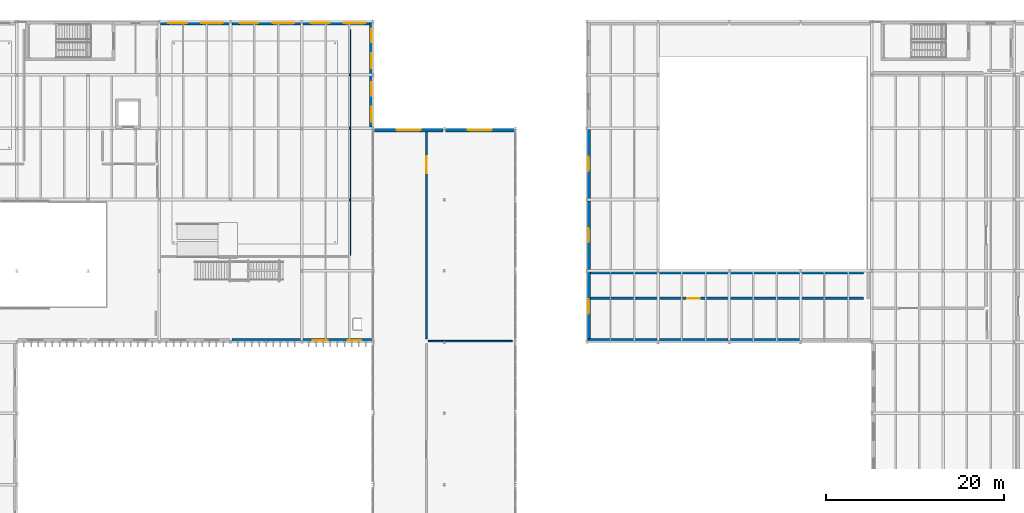
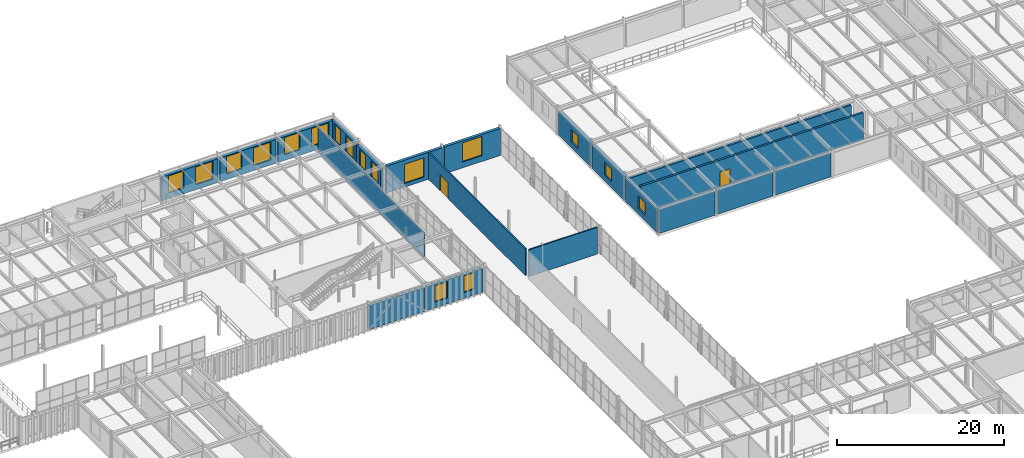
# One storey, part 87 of 122: 20 walls, 17 windows, 2 doors, 19 openings.
"""IFC4 building model written with IfcOpenShell, lengths in metres."""

from ifc_helpers import new_model, si_unit, direction, frame, frame_2d, origin, place, context, subcontext, project, spatial, rectangle, extrude, material, layer, layer_set, type_object, element, fill, save


model = new_model("IFC4")

# Units and contexts
model_context = context("Model", 3, precision=1e-05, world=origin(), true_north=direction((0.0, 1.0)))
body_context = subcontext(model_context, "Body", "Model", "MODEL_VIEW")
ifc_project = project(units=[si_unit("LENGTHUNIT", "METRE"), si_unit("AREAUNIT", "SQUARE_METRE"), si_unit("VOLUMEUNIT", "CUBIC_METRE"), si_unit("PLANEANGLEUNIT", "RADIAN"), si_unit("MASSUNIT", "GRAM", prefix="KILO")], contexts=[model_context])

# Site, building, storey
site_placement = place(None, origin())
site = spatial("IfcSite", under=ifc_project, at=site_placement, CompositionType="ELEMENT")
building_placement = place(site_placement, origin())
building = spatial("IfcBuilding", under=site, at=building_placement, Name="Sundkrona Museum", CompositionType="ELEMENT")
storey_placement = place(building_placement, frame((0.0, 0.0, 5.39990234375)))
storey = spatial("IfcBuildingStorey", under=building, at=storey_placement, Name="L01", CompositionType="ELEMENT", Elevation=5.39990234375)

# Wall, opening, door
ifc_material_1 = material(Name="Acoustic Double-Leaf Brick Masonry 275 mm", Category="masonry")
ifc_layer_1 = layer(ifc_material_1, 0.27490234375)
ifc_layer_set_1 = layer_set([ifc_layer_1], Name="Acoustic Double-Leaf Brick Masonry 275 mm")
wall_type_1 = type_object("IfcWallType", Name="W-AUD-275", PredefinedType="SOLIDWALL", material=ifc_layer_set_1)
wall_1_placement = place(storey_placement, frame((104.35009765625, 82.89990234375, 0.0), z_axis=(0.0, 0.0, 1.0), x_axis=(1.0, 0.0, 0.0)))
wall_1 = element("IfcWall", 1, at=wall_1_placement, inside=storey, type_object=wall_type_1, Name="L01 Auditorium Projection Foyer Enclosure Wall S", PredefinedType="SOLIDWALL", context=body_context, shape_type="SweptSolid", body=[
    extrude(rectangle(XDim=30.699951171875, YDim=0.27490234375, at=frame_2d((15.35009765625, 0.0))), origin(), (0.0, 0.0, 1.0), 3.940185546875),
])
opening_1_placement = place(wall_1_placement, frame((10.9296875, 0.0, 0.0)))
opening_1 = element("IfcOpeningElement", 2, at=opening_1_placement, cuts=wall_1, Name="Opening D-CMP-140", PredefinedType="OPENING", context=body_context, shape_type="SweptSolid", body=[
    extrude(rectangle(XDim=1.39990234375, YDim=2.199951171875, at=frame_2d((0.699951171875, 1.10009765625))), frame((0.0, 0.1474609375, 0.0), z_axis=(0.0, -1.0, 0.0), x_axis=(1.0, 0.0, 0.0)), (0.0, 0.0, 1.0), 0.294921875),
])
ifc_material_2 = material(Name="Oak-veneered Fire Door", Category="other")
door_type_1 = type_object("IfcDoorType", Name="D-CMP-140", OperationType="DOUBLE_DOOR_SINGLE_SWING", PredefinedType="DOOR", material=ifc_material_2)
door_1_placement = place(opening_1_placement, origin())
door_1 = element("IfcDoor", 3, at=door_1_placement, inside=storey, type_object=door_type_1, Name="L01 Interior Door DR-INT-L01-0111", OperationType="DOUBLE_DOOR_SINGLE_SWING", OverallHeight=2.199951171875, OverallWidth=1.39990234375, PredefinedType="DOOR", context=body_context, shape_type="SweptSolid", body=[
    extrude(rectangle(XDim=1.39990234375, YDim=2.199951171875, at=frame_2d((0.699951171875, 1.10009765625))), frame((0.0, 0.02490234375, 0.0), z_axis=(0.0, -1.0, 0.0), x_axis=(1.0, 0.0, 0.0)), (0.0, 0.0, 1.0), 0.050048828125),
])
fill(opening_1, door_1)

# Walls
wall_2_placement = place(storey_placement, frame((104.35009765625, 85.800048828125, 0.0), z_axis=(0.0, 0.0, 1.0), x_axis=(1.0, 0.0, 0.0)))
element("IfcWall", 4, at=wall_2_placement, inside=storey, type_object=wall_type_1, Name="L01 Auditorium Projection Foyer Enclosure Wall N", PredefinedType="SOLIDWALL", context=body_context, shape_type="SweptSolid", body=[
    extrude(rectangle(XDim=30.699951171875, YDim=0.27490234375, at=frame_2d((15.35009765625, 0.0))), origin(), (0.0, 0.0, 1.0), 3.300048828125),
])
ifc_material_3 = material(Name="Scanian Polychrome Clay Brickwork 390 mm", Category="masonry")
ifc_layer_2 = layer(ifc_material_3, 0.389892578125)
ifc_layer_set_2 = layer_set([ifc_layer_2], Name="Scanian Polychrome Clay Brickwork 390 mm")
wall_type_2 = type_object("IfcWallType", Name="W-EX-390", PredefinedType="SOLIDWALL", material=ifc_layer_set_2)
wall_3_placement = place(storey_placement, frame((71.85791015625, 78.195068359375, 0.0), z_axis=(0.0, 0.0, 1.0), x_axis=(-1.0, 0.0, 0.0)))
element("IfcWall", 5, at=wall_3_placement, inside=storey, type_object=wall_type_2, Name="L01 Facade Wall 0120", PredefinedType="SOLIDWALL", context=body_context, shape_type="SweptSolid", body=[
    extrude(rectangle(XDim=7.7158203125, YDim=0.389892578125, at=frame_2d((3.85791015625, 0.0))), origin(), (0.0, 0.0, 1.0), 3.455078125),
])

# Wall, openings, windows
wall_4_placement = place(storey_placement, frame((79.85791015625, 78.195068359375, 0.0), z_axis=(0.0, 0.0, 1.0), x_axis=(-1.0, 0.0, 0.0)))
wall_4 = element("IfcWall", 6, at=wall_4_placement, inside=storey, type_object=wall_type_2, Name="L01 Facade Wall 0121", PredefinedType="SOLIDWALL", context=body_context, shape_type="SweptSolid", body=[
    extrude(rectangle(XDim=7.7158203125, YDim=0.389892578125, at=frame_2d((3.85791015625, 0.0))), origin(), (0.0, 0.0, 1.0), 3.455078125),
])
opening_2_placement = place(wall_4_placement, frame((1.178955078125, 0.0, 0.85009765625)))
opening_2 = element("IfcOpeningElement", 7, at=opening_2_placement, cuts=wall_4, Name="Opening WN-GL-150x240", PredefinedType="OPENING", context=body_context, shape_type="SweptSolid", body=[
    extrude(rectangle(XDim=1.5, YDim=2.39990234375, at=frame_2d((0.75, 1.199951171875))), frame((0.0, 0.204833984375, 0.0), z_axis=(0.0, -1.0, 0.0), x_axis=(1.0, 0.0, 0.0)), (0.0, 0.0, 1.0), 0.409912109375),
])
opening_3_placement = place(wall_4_placement, frame((4.93701171875, 0.0, 0.85009765625)))
opening_3 = element("IfcOpeningElement", 8, at=opening_3_placement, cuts=wall_4, Name="Opening WN-GL-170x240", PredefinedType="OPENING", context=body_context, shape_type="SweptSolid", body=[
    extrude(rectangle(XDim=1.699951171875, YDim=2.39990234375, at=frame_2d((0.85009765625, 1.199951171875))), frame((0.0, 0.204833984375, 0.0), z_axis=(0.0, -1.0, 0.0), x_axis=(1.0, 0.0, 0.0)), (0.0, 0.0, 1.0), 0.409912109375),
])
ifc_material_4 = material(Name="Triple Low-E Argon Glazing in Bronze-Anodised Aluminium", Category="aluminium")
window_type_1 = type_object("IfcWindowType", Name="WN-GL-150x240", PartitioningType="SINGLE_PANEL", PredefinedType="WINDOW", material=ifc_material_4)
window_1_placement = place(opening_2_placement, origin())
window_1 = element("IfcWindow", 9, at=window_1_placement, inside=storey, type_object=window_type_1, Name="L01 Finned wing deep-reveal gallery window 1500x2400 WIN-L01-0166", OverallHeight=2.39990234375, OverallWidth=1.5, PartitioningType="SINGLE_PANEL", PredefinedType="WINDOW", context=body_context, shape_type="SweptSolid", body=[
    extrude(rectangle(XDim=1.5, YDim=2.39990234375, at=frame_2d((0.75, 1.199951171875))), frame((0.0, 0.030029296875, 0.0), z_axis=(0.0, -1.0, 0.0), x_axis=(1.0, 0.0, 0.0)), (0.0, 0.0, 1.0), 0.06005859375),
])
fill(opening_2, window_1)
window_type_2 = type_object("IfcWindowType", Name="WN-GL-170x240", PartitioningType="DOUBLE_PANEL_VERTICAL", PredefinedType="WINDOW", material=ifc_material_4)
window_2_placement = place(opening_3_placement, origin())
window_2 = element("IfcWindow", 10, at=window_2_placement, inside=storey, type_object=window_type_2, Name="L01 Finned wing wide gallery window 1700x2400 WIN-L01-0167", OverallHeight=2.39990234375, OverallWidth=1.699951171875, PartitioningType="DOUBLE_PANEL_VERTICAL", PredefinedType="WINDOW", context=body_context, shape_type="SweptSolid", body=[
    extrude(rectangle(XDim=1.699951171875, YDim=2.39990234375, at=frame_2d((0.85009765625, 1.199951171875))), frame((0.0, 0.030029296875, 0.0), z_axis=(0.0, -1.0, 0.0), x_axis=(1.0, 0.0, 0.0)), (0.0, 0.0, 1.0), 0.06005859375),
])
fill(opening_3, window_2)

wall_5_placement = place(storey_placement, frame((56.14208984375, 113.804931640625, 0.0), z_axis=(0.0, 0.0, 1.0), x_axis=(1.0, 0.0, 0.0)))
wall_5 = element("IfcWall", 11, at=wall_5_placement, inside=storey, type_object=wall_type_2, Name="L01 Facade Wall 0131", PredefinedType="SOLIDWALL", context=body_context, shape_type="SweptSolid", body=[
    extrude(rectangle(XDim=7.7158203125, YDim=0.389892578125, at=frame_2d((3.85791015625, 0.0))), origin(), (0.0, 0.0, 1.0), 3.455078125),
])
opening_4_placement = place(wall_5_placement, frame((0.87890625, 0.0, 0.820068359375)))
opening_4 = element("IfcOpeningElement", 12, at=opening_4_placement, cuts=wall_5, Name="Opening WN-GL-210x250", PredefinedType="OPENING", context=body_context, shape_type="SweptSolid", body=[
    extrude(rectangle(XDim=2.10009765625, YDim=2.5, at=frame_2d((1.050048828125, 1.25))), frame((0.0, 0.204833984375, 0.0), z_axis=(0.0, -1.0, 0.0), x_axis=(1.0, 0.0, 0.0)), (0.0, 0.0, 1.0), 0.409912109375),
])
opening_5_placement = place(wall_5_placement, frame((4.5869140625, 0.0, 0.719970703125)))
opening_5 = element("IfcOpeningElement", 13, at=opening_5_placement, cuts=wall_5, Name="Opening WN-GL-240x260", PredefinedType="OPENING", context=body_context, shape_type="SweptSolid", body=[
    extrude(rectangle(XDim=2.39990234375, YDim=2.60009765625, at=frame_2d((1.199951171875, 1.300048828125))), frame((0.0, 0.204833984375, 0.0), z_axis=(0.0, -1.0, 0.0), x_axis=(1.0, 0.0, 0.0)), (0.0, 0.0, 1.0), 0.409912109375),
])
window_type_3 = type_object("IfcWindowType", Name="WN-GL-210x250", PartitioningType="DOUBLE_PANEL_VERTICAL", PredefinedType="WINDOW", material=ifc_material_4)
window_3_placement = place(opening_4_placement, origin())
window_3 = element("IfcWindow", 14, at=window_3_placement, inside=storey, type_object=window_type_3, Name="L01 Botanical court outlook window 2100x2500 WIN-L01-0177", OverallHeight=2.5, OverallWidth=2.10009765625, PartitioningType="DOUBLE_PANEL_VERTICAL", PredefinedType="WINDOW", context=body_context, shape_type="SweptSolid", body=[
    extrude(rectangle(XDim=2.10009765625, YDim=2.5, at=frame_2d((1.050048828125, 1.25))), frame((0.0, 0.030029296875, 0.0), z_axis=(0.0, -1.0, 0.0), x_axis=(1.0, 0.0, 0.0)), (0.0, 0.0, 1.0), 0.06005859375),
])
fill(opening_4, window_3)
window_type_4 = type_object("IfcWindowType", Name="WN-GL-240x260", PartitioningType="TRIPLE_PANEL_VERTICAL", PredefinedType="WINDOW", material=ifc_material_4)
window_4_placement = place(opening_5_placement, origin())
window_4 = element("IfcWindow", 15, at=window_4_placement, inside=storey, type_object=window_type_4, Name="L01 Cloister garden picture window 2400x2600 WIN-L01-0178", OverallHeight=2.60009765625, OverallWidth=2.39990234375, PartitioningType="TRIPLE_PANEL_VERTICAL", PredefinedType="WINDOW", context=body_context, shape_type="SweptSolid", body=[
    extrude(rectangle(XDim=2.39990234375, YDim=2.60009765625, at=frame_2d((1.199951171875, 1.300048828125))), frame((0.0, 0.030029296875, 0.0), z_axis=(0.0, -1.0, 0.0), x_axis=(1.0, 0.0, 0.0)), (0.0, 0.0, 1.0), 0.06005859375),
])
fill(opening_5, window_4)

wall_6_placement = place(storey_placement, frame((64.14208984375, 113.804931640625, 0.0), z_axis=(0.0, 0.0, 1.0), x_axis=(1.0, 0.0, 0.0)))
wall_6 = element("IfcWall", 16, at=wall_6_placement, inside=storey, type_object=wall_type_2, Name="L01 Facade Wall 0132", PredefinedType="SOLIDWALL", context=body_context, shape_type="SweptSolid", body=[
    extrude(rectangle(XDim=7.7158203125, YDim=0.389892578125, at=frame_2d((3.85791015625, 0.0))), origin(), (0.0, 0.0, 1.0), 3.455078125),
])
opening_6_placement = place(wall_6_placement, frame((0.87890625, 0.0, 0.820068359375)))
opening_6 = element("IfcOpeningElement", 17, at=opening_6_placement, cuts=wall_6, Name="Opening WN-GL-210x250", PredefinedType="OPENING", context=body_context, shape_type="SweptSolid", body=[
    extrude(rectangle(XDim=2.10009765625, YDim=2.5, at=frame_2d((1.050048828125, 1.25))), frame((0.0, 0.204833984375, 0.0), z_axis=(0.0, -1.0, 0.0), x_axis=(1.0, 0.0, 0.0)), (0.0, 0.0, 1.0), 0.409912109375),
])
opening_7_placement = place(wall_6_placement, frame((4.5869140625, 0.0, 0.719970703125)))
opening_7 = element("IfcOpeningElement", 18, at=opening_7_placement, cuts=wall_6, Name="Opening WN-GL-240x260", PredefinedType="OPENING", context=body_context, shape_type="SweptSolid", body=[
    extrude(rectangle(XDim=2.39990234375, YDim=2.60009765625, at=frame_2d((1.199951171875, 1.300048828125))), frame((0.0, 0.204833984375, 0.0), z_axis=(0.0, -1.0, 0.0), x_axis=(1.0, 0.0, 0.0)), (0.0, 0.0, 1.0), 0.409912109375),
])
window_5_placement = place(opening_6_placement, origin())
window_5 = element("IfcWindow", 19, at=window_5_placement, inside=storey, type_object=window_type_3, Name="L01 Botanical court outlook window 2100x2500 WIN-L01-0179", OverallHeight=2.5, OverallWidth=2.10009765625, PartitioningType="DOUBLE_PANEL_VERTICAL", PredefinedType="WINDOW", context=body_context, shape_type="SweptSolid", body=[
    extrude(rectangle(XDim=2.10009765625, YDim=2.5, at=frame_2d((1.050048828125, 1.25))), frame((0.0, 0.030029296875, 0.0), z_axis=(0.0, -1.0, 0.0), x_axis=(1.0, 0.0, 0.0)), (0.0, 0.0, 1.0), 0.06005859375),
])
fill(opening_6, window_5)
window_6_placement = place(opening_7_placement, origin())
window_6 = element("IfcWindow", 20, at=window_6_placement, inside=storey, type_object=window_type_4, Name="L01 Cloister garden picture window 2400x2600 WIN-L01-0180", OverallHeight=2.60009765625, OverallWidth=2.39990234375, PartitioningType="TRIPLE_PANEL_VERTICAL", PredefinedType="WINDOW", context=body_context, shape_type="SweptSolid", body=[
    extrude(rectangle(XDim=2.39990234375, YDim=2.60009765625, at=frame_2d((1.199951171875, 1.300048828125))), frame((0.0, 0.030029296875, 0.0), z_axis=(0.0, -1.0, 0.0), x_axis=(1.0, 0.0, 0.0)), (0.0, 0.0, 1.0), 0.06005859375),
])
fill(opening_7, window_6)

wall_7_placement = place(storey_placement, frame((72.14208984375, 113.804931640625, 0.0), z_axis=(0.0, 0.0, 1.0), x_axis=(1.0, 0.0, 0.0)))
wall_7 = element("IfcWall", 21, at=wall_7_placement, inside=storey, type_object=wall_type_2, Name="L01 Facade Wall 0133", PredefinedType="SOLIDWALL", context=body_context, shape_type="SweptSolid", body=[
    extrude(rectangle(XDim=7.7158203125, YDim=0.389892578125, at=frame_2d((3.85791015625, 0.0))), origin(), (0.0, 0.0, 1.0), 3.455078125),
])
opening_8_placement = place(wall_7_placement, frame((0.87890625, 0.0, 0.820068359375)))
opening_8 = element("IfcOpeningElement", 22, at=opening_8_placement, cuts=wall_7, Name="Opening WN-GL-210x250", PredefinedType="OPENING", context=body_context, shape_type="SweptSolid", body=[
    extrude(rectangle(XDim=2.10009765625, YDim=2.5, at=frame_2d((1.050048828125, 1.25))), frame((0.0, 0.204833984375, 0.0), z_axis=(0.0, -1.0, 0.0), x_axis=(1.0, 0.0, 0.0)), (0.0, 0.0, 1.0), 0.409912109375),
])
opening_9_placement = place(wall_7_placement, frame((4.5869140625, 0.0, 0.719970703125)))
opening_9 = element("IfcOpeningElement", 23, at=opening_9_placement, cuts=wall_7, Name="Opening WN-GL-240x260", PredefinedType="OPENING", context=body_context, shape_type="SweptSolid", body=[
    extrude(rectangle(XDim=2.39990234375, YDim=2.60009765625, at=frame_2d((1.199951171875, 1.300048828125))), frame((0.0, 0.204833984375, 0.0), z_axis=(0.0, -1.0, 0.0), x_axis=(1.0, 0.0, 0.0)), (0.0, 0.0, 1.0), 0.409912109375),
])
window_7_placement = place(opening_8_placement, origin())
window_7 = element("IfcWindow", 24, at=window_7_placement, inside=storey, type_object=window_type_3, Name="L01 Botanical court outlook window 2100x2500 WIN-L01-0181", OverallHeight=2.5, OverallWidth=2.10009765625, PartitioningType="DOUBLE_PANEL_VERTICAL", PredefinedType="WINDOW", context=body_context, shape_type="SweptSolid", body=[
    extrude(rectangle(XDim=2.10009765625, YDim=2.5, at=frame_2d((1.050048828125, 1.25))), frame((0.0, 0.030029296875, 0.0), z_axis=(0.0, -1.0, 0.0), x_axis=(1.0, 0.0, 0.0)), (0.0, 0.0, 1.0), 0.06005859375),
])
fill(opening_8, window_7)
window_8_placement = place(opening_9_placement, origin())
window_8 = element("IfcWindow", 25, at=window_8_placement, inside=storey, type_object=window_type_4, Name="L01 Cloister garden picture window 2400x2600 WIN-L01-0182", OverallHeight=2.60009765625, OverallWidth=2.39990234375, PartitioningType="TRIPLE_PANEL_VERTICAL", PredefinedType="WINDOW", context=body_context, shape_type="SweptSolid", body=[
    extrude(rectangle(XDim=2.39990234375, YDim=2.60009765625, at=frame_2d((1.199951171875, 1.300048828125))), frame((0.0, 0.030029296875, 0.0), z_axis=(0.0, -1.0, 0.0), x_axis=(1.0, 0.0, 0.0)), (0.0, 0.0, 1.0), 0.06005859375),
])
fill(opening_9, window_8)

# Wall, opening, window
wall_8_placement = place(storey_placement, frame((80.14208984375, 101.804931640625, 0.0), z_axis=(0.0, 0.0, 1.0), x_axis=(1.0, 0.0, 0.0)))
wall_8 = element("IfcWall", 26, at=wall_8_placement, inside=storey, type_object=wall_type_2, Name="L01 Facade Wall 0249", PredefinedType="SOLIDWALL", context=body_context, shape_type="SweptSolid", body=[
    extrude(rectangle(XDim=7.7158203125, YDim=0.389892578125, at=frame_2d((3.85791015625, 0.0))), origin(), (0.0, 0.0, 1.0), 3.920166015625),
])
opening_10_placement = place(wall_8_placement, frame((2.508056640625, 0.0, 0.52001953125)))
opening_10 = element("IfcOpeningElement", 27, at=opening_10_placement, cuts=wall_8, Name="Opening WN-CF-270x280", PredefinedType="OPENING", context=body_context, shape_type="SweptSolid", body=[
    extrude(rectangle(XDim=2.699951171875, YDim=2.800048828125, at=frame_2d((1.35009765625, 1.39990234375))), frame((0.0, 0.204833984375, 0.0), z_axis=(0.0, -1.0, 0.0), x_axis=(1.0, 0.0, 0.0)), (0.0, 0.0, 1.0), 0.409912109375),
])
window_type_5 = type_object("IfcWindowType", Name="WN-CF-270x280", PartitioningType="TRIPLE_PANEL_VERTICAL", PredefinedType="WINDOW", material=ifc_material_4)
window_9_placement = place(opening_10_placement, origin())
window_9 = element("IfcWindow", 28, at=window_9_placement, inside=storey, type_object=window_type_5, Name="L01 Visitor cafe avenue storefront window 2700x2800 WIN-L01-0340", OverallHeight=2.800048828125, OverallWidth=2.699951171875, PartitioningType="TRIPLE_PANEL_VERTICAL", PredefinedType="WINDOW", context=body_context, shape_type="SweptSolid", body=[
    extrude(rectangle(XDim=2.699951171875, YDim=2.800048828125, at=frame_2d((1.35009765625, 1.39990234375))), frame((0.0, 0.030029296875, 0.0), z_axis=(0.0, -1.0, 0.0), x_axis=(1.0, 0.0, 0.0)), (0.0, 0.0, 1.0), 0.06005859375),
])
fill(opening_10, window_9)

wall_9_placement = place(storey_placement, frame((88.14208984375, 101.804931640625, 0.0), z_axis=(0.0, 0.0, 1.0), x_axis=(1.0, 0.0, 0.0)))
wall_9 = element("IfcWall", 29, at=wall_9_placement, inside=storey, type_object=wall_type_2, Name="L01 Facade Wall 0250", PredefinedType="SOLIDWALL", context=body_context, shape_type="SweptSolid", body=[
    extrude(rectangle(XDim=7.7158203125, YDim=0.389892578125, at=frame_2d((3.85791015625, 0.0))), origin(), (0.0, 0.0, 1.0), 3.920166015625),
])
opening_11_placement = place(wall_9_placement, frame((2.508056640625, 0.0, 0.85009765625)))
opening_11 = element("IfcOpeningElement", 30, at=opening_11_placement, cuts=wall_9, Name="Opening WN-CF-270x280", PredefinedType="OPENING", context=body_context, shape_type="SweptSolid", body=[
    extrude(rectangle(XDim=2.699951171875, YDim=2.800048828125, at=frame_2d((1.35009765625, 1.39990234375))), frame((0.0, 0.204833984375, 0.0), z_axis=(0.0, -1.0, 0.0), x_axis=(1.0, 0.0, 0.0)), (0.0, 0.0, 1.0), 0.409912109375),
])
window_10_placement = place(opening_11_placement, origin())
window_10 = element("IfcWindow", 31, at=window_10_placement, inside=storey, type_object=window_type_5, Name="L01 Visitor cafe avenue storefront window 2700x2800 WIN-L01-0341", OverallHeight=2.800048828125, OverallWidth=2.699951171875, PartitioningType="TRIPLE_PANEL_VERTICAL", PredefinedType="WINDOW", context=body_context, shape_type="SweptSolid", body=[
    extrude(rectangle(XDim=2.699951171875, YDim=2.800048828125, at=frame_2d((1.35009765625, 1.39990234375))), frame((0.0, 0.030029296875, 0.0), z_axis=(0.0, -1.0, 0.0), x_axis=(1.0, 0.0, 0.0)), (0.0, 0.0, 1.0), 0.06005859375),
])
fill(opening_11, window_10)

# Wall, openings, windows
wall_10_placement = place(storey_placement, frame((79.804931640625, 107.85791015625, 0.0), z_axis=(0.0, 0.0, 1.0), x_axis=(0.0, -1.0, 0.0)))
wall_10 = element("IfcWall", 32, at=wall_10_placement, inside=storey, type_object=wall_type_2, Name="L01 Facade Wall 0253", PredefinedType="SOLIDWALL", context=body_context, shape_type="SweptSolid", body=[
    extrude(rectangle(XDim=5.7158203125, YDim=0.389892578125, at=frame_2d((2.85791015625, 0.0))), origin(), (0.0, 0.0, 1.0), 3.455078125),
])
opening_12_placement = place(wall_10_placement, frame((0.678955078125, 0.0, 0.85009765625)))
opening_12 = element("IfcOpeningElement", 33, at=opening_12_placement, cuts=wall_10, Name="Opening WN-GL-150x240", PredefinedType="OPENING", context=body_context, shape_type="SweptSolid", body=[
    extrude(rectangle(XDim=1.5, YDim=2.39990234375, at=frame_2d((0.75, 1.199951171875))), frame((0.0, 0.204833984375, 0.0), z_axis=(0.0, -1.0, 0.0), x_axis=(1.0, 0.0, 0.0)), (0.0, 0.0, 1.0), 0.409912109375),
])
opening_13_placement = place(wall_10_placement, frame((3.43701171875, 0.0, 0.85009765625)))
opening_13 = element("IfcOpeningElement", 34, at=opening_13_placement, cuts=wall_10, Name="Opening WN-GL-170x240", PredefinedType="OPENING", context=body_context, shape_type="SweptSolid", body=[
    extrude(rectangle(XDim=1.699951171875, YDim=2.39990234375, at=frame_2d((0.85009765625, 1.199951171875))), frame((0.0, 0.204833984375, 0.0), z_axis=(0.0, -1.0, 0.0), x_axis=(1.0, 0.0, 0.0)), (0.0, 0.0, 1.0), 0.409912109375),
])
window_11_placement = place(opening_12_placement, origin())
window_11 = element("IfcWindow", 35, at=window_11_placement, inside=storey, type_object=window_type_1, Name="L01 Finned wing deep-reveal gallery window 1500x2400 WIN-L01-0346", OverallHeight=2.39990234375, OverallWidth=1.5, PartitioningType="SINGLE_PANEL", PredefinedType="WINDOW", context=body_context, shape_type="SweptSolid", body=[
    extrude(rectangle(XDim=1.5, YDim=2.39990234375, at=frame_2d((0.75, 1.199951171875))), frame((0.0, 0.030029296875, 0.0), z_axis=(0.0, -1.0, 0.0), x_axis=(1.0, 0.0, 0.0)), (0.0, 0.0, 1.0), 0.06005859375),
])
fill(opening_12, window_11)
window_12_placement = place(opening_13_placement, origin())
window_12 = element("IfcWindow", 36, at=window_12_placement, inside=storey, type_object=window_type_2, Name="L01 Finned wing wide gallery window 1700x2400 WIN-L01-0347", OverallHeight=2.39990234375, OverallWidth=1.699951171875, PartitioningType="DOUBLE_PANEL_VERTICAL", PredefinedType="WINDOW", context=body_context, shape_type="SweptSolid", body=[
    extrude(rectangle(XDim=1.699951171875, YDim=2.39990234375, at=frame_2d((0.85009765625, 1.199951171875))), frame((0.0, 0.030029296875, 0.0), z_axis=(0.0, -1.0, 0.0), x_axis=(1.0, 0.0, 0.0)), (0.0, 0.0, 1.0), 0.06005859375),
])
fill(opening_13, window_12)

wall_11_placement = place(storey_placement, frame((79.804931640625, 113.85791015625, 0.0), z_axis=(0.0, 0.0, 1.0), x_axis=(0.0, -1.0, 0.0)))
wall_11 = element("IfcWall", 37, at=wall_11_placement, inside=storey, type_object=wall_type_2, Name="L01 Facade Wall 0254", PredefinedType="SOLIDWALL", context=body_context, shape_type="SweptSolid", body=[
    extrude(rectangle(XDim=5.7158203125, YDim=0.389892578125, at=frame_2d((2.85791015625, 0.0))), origin(), (0.0, 0.0, 1.0), 3.455078125),
])
opening_14_placement = place(wall_11_placement, frame((0.678955078125, 0.0, 0.85009765625)))
opening_14 = element("IfcOpeningElement", 38, at=opening_14_placement, cuts=wall_11, Name="Opening WN-GL-150x240", PredefinedType="OPENING", context=body_context, shape_type="SweptSolid", body=[
    extrude(rectangle(XDim=1.5, YDim=2.39990234375, at=frame_2d((0.75, 1.199951171875))), frame((0.0, 0.204833984375, 0.0), z_axis=(0.0, -1.0, 0.0), x_axis=(1.0, 0.0, 0.0)), (0.0, 0.0, 1.0), 0.409912109375),
])
opening_15_placement = place(wall_11_placement, frame((3.43701171875, 0.0, 0.85009765625)))
opening_15 = element("IfcOpeningElement", 39, at=opening_15_placement, cuts=wall_11, Name="Opening WN-GL-170x240", PredefinedType="OPENING", context=body_context, shape_type="SweptSolid", body=[
    extrude(rectangle(XDim=1.699951171875, YDim=2.39990234375, at=frame_2d((0.85009765625, 1.199951171875))), frame((0.0, 0.204833984375, 0.0), z_axis=(0.0, -1.0, 0.0), x_axis=(1.0, 0.0, 0.0)), (0.0, 0.0, 1.0), 0.409912109375),
])
window_13_placement = place(opening_14_placement, origin())
window_13 = element("IfcWindow", 40, at=window_13_placement, inside=storey, type_object=window_type_1, Name="L01 Finned wing deep-reveal gallery window 1500x2400 WIN-L01-0348", OverallHeight=2.39990234375, OverallWidth=1.5, PartitioningType="SINGLE_PANEL", PredefinedType="WINDOW", context=body_context, shape_type="SweptSolid", body=[
    extrude(rectangle(XDim=1.5, YDim=2.39990234375, at=frame_2d((0.75, 1.199951171875))), frame((0.0, 0.030029296875, 0.0), z_axis=(0.0, -1.0, 0.0), x_axis=(1.0, 0.0, 0.0)), (0.0, 0.0, 1.0), 0.06005859375),
])
fill(opening_14, window_13)
window_14_placement = place(opening_15_placement, origin())
window_14 = element("IfcWindow", 41, at=window_14_placement, inside=storey, type_object=window_type_2, Name="L01 Finned wing wide gallery window 1700x2400 WIN-L01-0349", OverallHeight=2.39990234375, OverallWidth=1.699951171875, PartitioningType="DOUBLE_PANEL_VERTICAL", PredefinedType="WINDOW", context=body_context, shape_type="SweptSolid", body=[
    extrude(rectangle(XDim=1.699951171875, YDim=2.39990234375, at=frame_2d((0.85009765625, 1.199951171875))), frame((0.0, 0.030029296875, 0.0), z_axis=(0.0, -1.0, 0.0), x_axis=(1.0, 0.0, 0.0)), (0.0, 0.0, 1.0), 0.06005859375),
])
fill(opening_15, window_14)

# Wall, opening, window
ifc_material_5 = material(Name="Scanian Polychrome Clay Brickwork 420 mm", Category="masonry")
ifc_layer_3 = layer(ifc_material_5, 0.419921875)
ifc_layer_set_3 = layer_set([ifc_layer_3], Name="Scanian Polychrome Clay Brickwork 420 mm")
wall_type_3 = type_object("IfcWallType", Name="W-EX-420", PredefinedType="SOLIDWALL", material=ifc_layer_set_3)
wall_12_placement = place(storey_placement, frame((104.2099609375, 78.14208984375, 0.0), z_axis=(0.0, 0.0, 1.0), x_axis=(0.0, 1.0, 0.0)))
wall_12 = element("IfcWall", 42, at=wall_12_placement, inside=storey, type_object=wall_type_3, Name="L01 Facade Wall 0278", PredefinedType="SOLIDWALL", context=body_context, shape_type="SweptSolid", body=[
    extrude(rectangle(XDim=7.7158203125, YDim=0.419921875, at=frame_2d((3.85791015625, 0.0))), origin(), (0.0, 0.0, 1.0), 3.43505859375),
])
opening_16_placement = place(wall_12_placement, frame((3.05810546875, 0.0, 0.85009765625)))
opening_16 = element("IfcOpeningElement", 43, at=opening_16_placement, cuts=wall_12, Name="Opening WN-LB-160x180", PredefinedType="OPENING", context=body_context, shape_type="SweptSolid", body=[
    extrude(rectangle(XDim=1.60009765625, YDim=1.800048828125, at=frame_2d((0.800048828125, 0.89990234375))), frame((0.0, 0.219970703125, 0.0), z_axis=(0.0, -1.0, 0.0), x_axis=(1.0, 0.0, 0.0)), (0.0, 0.0, 1.0), 0.43994140625),
])
window_type_6 = type_object("IfcWindowType", Name="WN-LB-160x180", PartitioningType="DOUBLE_PANEL_VERTICAL", PredefinedType="WINDOW", material=ifc_material_4)
window_15_placement = place(opening_16_placement, origin())
window_15 = element("IfcWindow", 44, at=window_15_placement, inside=storey, type_object=window_type_6, Name="L01 Conservation laboratory deep-reveal window 1600x1800 WIN-L01-0383", OverallHeight=1.800048828125, OverallWidth=1.60009765625, PartitioningType="DOUBLE_PANEL_VERTICAL", PredefinedType="WINDOW", context=body_context, shape_type="SweptSolid", body=[
    extrude(rectangle(XDim=1.60009765625, YDim=1.800048828125, at=frame_2d((0.800048828125, 0.89990234375))), frame((0.0, 0.030029296875, 0.0), z_axis=(0.0, -1.0, 0.0), x_axis=(1.0, 0.0, 0.0)), (0.0, 0.0, 1.0), 0.06005859375),
])
fill(opening_16, window_15)

wall_13_placement = place(storey_placement, frame((104.2099609375, 86.14208984375, 0.0), z_axis=(0.0, 0.0, 1.0), x_axis=(0.0, 1.0, 0.0)))
wall_13 = element("IfcWall", 45, at=wall_13_placement, inside=storey, type_object=wall_type_3, Name="L01 Facade Wall 0279", PredefinedType="SOLIDWALL", context=body_context, shape_type="SweptSolid", body=[
    extrude(rectangle(XDim=7.7158203125, YDim=0.419921875, at=frame_2d((3.85791015625, 0.0))), origin(), (0.0, 0.0, 1.0), 3.43505859375),
])
opening_17_placement = place(wall_13_placement, frame((3.05810546875, 0.0, 0.85009765625)))
opening_17 = element("IfcOpeningElement", 46, at=opening_17_placement, cuts=wall_13, Name="Opening WN-LB-160x180", PredefinedType="OPENING", context=body_context, shape_type="SweptSolid", body=[
    extrude(rectangle(XDim=1.60009765625, YDim=1.800048828125, at=frame_2d((0.800048828125, 0.89990234375))), frame((0.0, 0.219970703125, 0.0), z_axis=(0.0, -1.0, 0.0), x_axis=(1.0, 0.0, 0.0)), (0.0, 0.0, 1.0), 0.43994140625),
])
window_16_placement = place(opening_17_placement, origin())
window_16 = element("IfcWindow", 47, at=window_16_placement, inside=storey, type_object=window_type_6, Name="L01 Conservation laboratory deep-reveal window 1600x1800 WIN-L01-0384", OverallHeight=1.800048828125, OverallWidth=1.60009765625, PartitioningType="DOUBLE_PANEL_VERTICAL", PredefinedType="WINDOW", context=body_context, shape_type="SweptSolid", body=[
    extrude(rectangle(XDim=1.60009765625, YDim=1.800048828125, at=frame_2d((0.800048828125, 0.89990234375))), frame((0.0, 0.030029296875, 0.0), z_axis=(0.0, -1.0, 0.0), x_axis=(1.0, 0.0, 0.0)), (0.0, 0.0, 1.0), 0.06005859375),
])
fill(opening_17, window_16)

wall_14_placement = place(storey_placement, frame((104.2099609375, 94.14208984375, 0.0), z_axis=(0.0, 0.0, 1.0), x_axis=(0.0, 1.0, 0.0)))
wall_14 = element("IfcWall", 48, at=wall_14_placement, inside=storey, type_object=wall_type_3, Name="L01 Facade Wall 0280", PredefinedType="SOLIDWALL", context=body_context, shape_type="SweptSolid", body=[
    extrude(rectangle(XDim=7.7158203125, YDim=0.419921875, at=frame_2d((3.85791015625, 0.0))), origin(), (0.0, 0.0, 1.0), 3.43505859375),
])
opening_18_placement = place(wall_14_placement, frame((3.05810546875, 0.0, 0.85009765625)))
opening_18 = element("IfcOpeningElement", 49, at=opening_18_placement, cuts=wall_14, Name="Opening WN-LB-160x180", PredefinedType="OPENING", context=body_context, shape_type="SweptSolid", body=[
    extrude(rectangle(XDim=1.60009765625, YDim=1.800048828125, at=frame_2d((0.800048828125, 0.89990234375))), frame((0.0, 0.219970703125, 0.0), z_axis=(0.0, -1.0, 0.0), x_axis=(1.0, 0.0, 0.0)), (0.0, 0.0, 1.0), 0.43994140625),
])
window_17_placement = place(opening_18_placement, origin())
window_17 = element("IfcWindow", 50, at=window_17_placement, inside=storey, type_object=window_type_6, Name="L01 Conservation laboratory deep-reveal window 1600x1800 WIN-L01-0385", OverallHeight=1.800048828125, OverallWidth=1.60009765625, PartitioningType="DOUBLE_PANEL_VERTICAL", PredefinedType="WINDOW", context=body_context, shape_type="SweptSolid", body=[
    extrude(rectangle(XDim=1.60009765625, YDim=1.800048828125, at=frame_2d((0.800048828125, 0.89990234375))), frame((0.0, 0.030029296875, 0.0), z_axis=(0.0, -1.0, 0.0), x_axis=(1.0, 0.0, 0.0)), (0.0, 0.0, 1.0), 0.06005859375),
])
fill(opening_18, window_17)

# Walls
wall_15_placement = place(storey_placement, frame((111.847900390625, 78.2099609375, 0.0), z_axis=(0.0, 0.0, 1.0), x_axis=(-1.0, 0.0, 0.0)))
element("IfcWall", 51, at=wall_15_placement, inside=storey, type_object=wall_type_3, Name="L01 Facade Wall 0283", PredefinedType="SOLIDWALL", context=body_context, shape_type="SweptSolid", body=[
    extrude(rectangle(XDim=7.705810546875, YDim=0.419921875, at=frame_2d((3.85302734375, 0.0))), origin(), (0.0, 0.0, 1.0), 3.43505859375),
])
for number, where, z_axis, x_axis, name in (
    (52, (119.847900390625, 78.2099609375, 0.0), (0.0, 0.0, 1.0), (-1.0, 0.0, 0.0), "L01 Facade Wall 0284"),
    (53, (127.847900390625, 78.2099609375, 0.0), (0.0, 0.0, 1.0), (-1.0, 0.0, 0.0), "L01 Facade Wall 0285"),
):
    element("IfcWall", number, at=place(storey_placement, frame(where, z_axis=z_axis, x_axis=x_axis)), inside=storey, type_object=wall_type_3, Name=name, PredefinedType="SOLIDWALL", context=body_context, shape_type="SweptSolid", body=[
        extrude(rectangle(XDim=7.69580078125, YDim=0.419921875, at=frame_2d((3.847900390625, 0.0))), origin(), (0.0, 0.0, 1.0), 3.43505859375),
    ])
ifc_material_6 = material(Name="Acoustic Gypsum Partition Board 150 mm", Category="other")
ifc_layer_4 = layer(ifc_material_6, 0.14990234375)
ifc_layer_set_4 = layer_set([ifc_layer_4], Name="Acoustic Gypsum Partition Board 150 mm")
wall_type_4 = type_object("IfcWallType", Name="W-PT-150", PredefinedType="PARTITIONING", material=ifc_layer_set_4)
wall_16_placement = place(storey_placement, frame((77.39990234375, 87.75, 0.0), z_axis=(0.0, 0.0, 1.0), x_axis=(0.0, 1.0, 0.0)))
element("IfcWall", 54, at=wall_16_placement, inside=storey, type_object=wall_type_4, Name="L01 Graphic Arts Cabinet Enclosure Wall E", PredefinedType="PARTITIONING", context=body_context, shape_type="SweptSolid", body=[
    extrude(rectangle(XDim=25.300048828125, YDim=0.14990234375, at=frame_2d((12.64990234375, 0.0))), origin(), (0.0, 0.0, 1.0), 3.56005859375),
])

# Wall, opening, door
ifc_material_7 = material(Name="Fire-rated Gypsum Partition Board 175 mm", Category="other")
ifc_layer_5 = layer(ifc_material_7, 0.175048828125)
ifc_layer_set_5 = layer_set([ifc_layer_5], Name="Fire-rated Gypsum Partition Board 175 mm")
wall_type_5 = type_object("IfcWallType", Name="W-PT-175", PredefinedType="PARTITIONING", material=ifc_layer_set_5)
wall_17_placement = place(storey_placement, frame((86.0, 78.39990234375, 0.0), z_axis=(0.0, 0.0, 1.0), x_axis=(0.0, 1.0, 0.0)))
wall_17 = element("IfcWall", 55, at=wall_17_placement, inside=storey, type_object=wall_type_5, Name="L01 Partition Passage Bridge Corridor / Lecture Room", PredefinedType="PARTITIONING", context=body_context, shape_type="SweptSolid", body=[
    extrude(rectangle(XDim=23.2001953125, YDim=0.175048828125, at=frame_2d((11.60009765625, 0.0))), origin(), (0.0, 0.0, 1.0), 3.920166015625),
])
opening_19_placement = place(wall_17_placement, frame((18.544189453125, 0.0, 0.0)))
opening_19 = element("IfcOpeningElement", 56, at=opening_19_placement, cuts=wall_17, Name="Opening D-AUD-190", PredefinedType="OPENING", context=body_context, shape_type="SweptSolid", body=[
    extrude(rectangle(XDim=1.89990234375, YDim=2.35009765625, at=frame_2d((0.949951171875, 1.175048828125))), frame((0.0, 0.097412109375, 0.0), z_axis=(0.0, -1.0, 0.0), x_axis=(1.0, 0.0, 0.0)), (0.0, 0.0, 1.0), 0.195068359375),
])
ifc_material_8 = material(Name="Acoustic Oak Fire Door", Category="other")
door_type_2 = type_object("IfcDoorType", Name="D-AUD-190", OperationType="DOUBLE_DOOR_SINGLE_SWING", PredefinedType="DOOR", material=ifc_material_8)
door_2_placement = place(opening_19_placement, origin())
door_2 = element("IfcDoor", 57, at=door_2_placement, inside=storey, type_object=door_type_2, Name="L01 Interior Door DR-ADJ-L01-0097", OperationType="DOUBLE_DOOR_SINGLE_SWING", OverallHeight=2.35009765625, OverallWidth=1.89990234375, PredefinedType="DOOR", context=body_context, shape_type="SweptSolid", body=[
    extrude(rectangle(XDim=1.89990234375, YDim=2.35009765625, at=frame_2d((0.949951171875, 1.175048828125))), frame((0.0, 0.02490234375, 0.0), z_axis=(0.0, -1.0, 0.0), x_axis=(1.0, 0.0, 0.0)), (0.0, 0.0, 1.0), 0.050048828125),
])
fill(opening_19, door_2)

# Wall
wall_18_placement = place(storey_placement, frame((86.199951171875, 78.10009765625, 0.0), z_axis=(0.0, 0.0, 1.0), x_axis=(1.0, 0.0, 0.0)))
element("IfcWall", 58, at=wall_18_placement, inside=storey, type_object=wall_type_5, Name="L01 Partition Education Studio / Lecture Room", PredefinedType="PARTITIONING", context=body_context, shape_type="SweptSolid", body=[
    extrude(rectangle(XDim=9.400146484375, YDim=0.175048828125, at=frame_2d((4.7001953125, 0.0))), origin(), (0.0, 0.0, 1.0), 3.920166015625),
])

save(model, "model.ifc")
